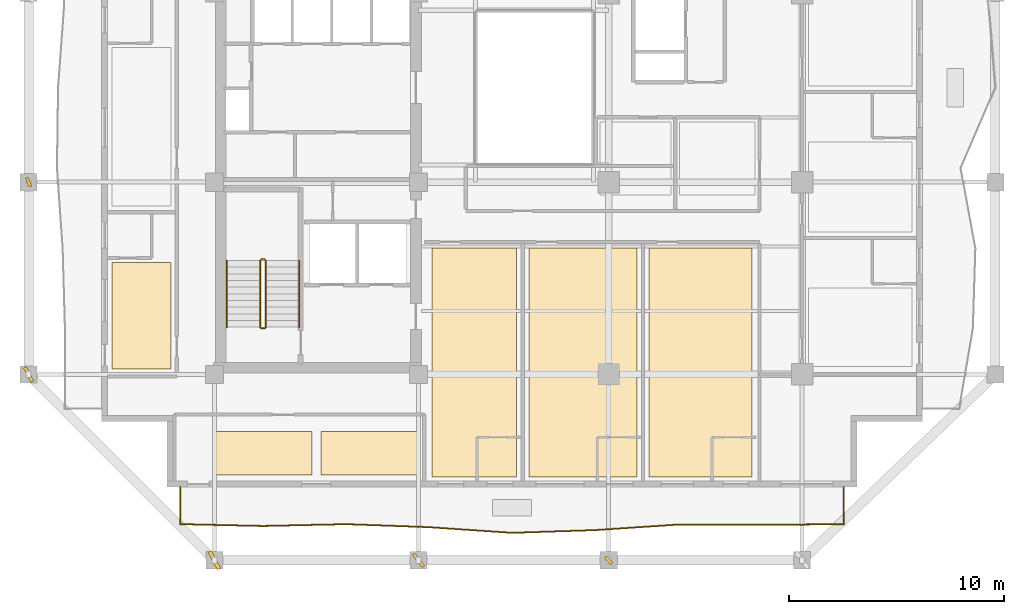
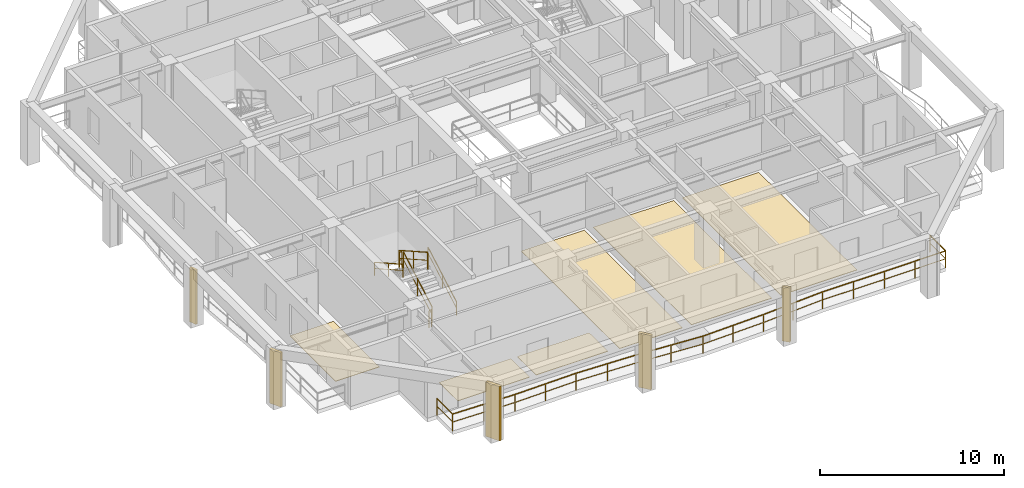
# One storey, part 9 of 12: 7 railings, 6 coverings, 5 shading devices.
"""IFC4 building model written with IfcOpenShell, lengths in metres."""

from ifc_helpers import new_model, si_unit, direction, frame, origin, origin_2d, place, context, subcontext, project, spatial, polyline, rectangle, outline, extrude, material, layer, layer_set, type_object, element, save


model = new_model("IFC4")

# Units and contexts
model_context = context("Model", 3, precision=1e-05, world=origin(), true_north=direction((0.0, 1.0)))
body_context = subcontext(model_context, "Body", "Model", "MODEL_VIEW")
ifc_project = project(units=[si_unit("LENGTHUNIT", "METRE"), si_unit("AREAUNIT", "SQUARE_METRE"), si_unit("VOLUMEUNIT", "CUBIC_METRE"), si_unit("PLANEANGLEUNIT", "RADIAN"), si_unit("MASSUNIT", "GRAM", prefix="KILO")], contexts=[model_context])

# Site, building, storey
site_placement = place(None, origin())
site = spatial("IfcSite", under=ifc_project, at=site_placement, CompositionType="ELEMENT")
building_placement = place(site_placement, origin())
building = spatial("IfcBuilding", under=site, at=building_placement, Name="Kundavana Baori Tower", CompositionType="ELEMENT")
storey_placement = place(building_placement, frame((0.0, 0.0, 134.800048828125)))
storey = spatial("IfcBuildingStorey", under=building, at=storey_placement, Name="L32", CompositionType="ELEMENT", Elevation=134.800048828125)

# Coverings
ifc_material_1 = material(Name="Honed Kota Stone and Terrazzo Flooring", Category="masonry")
ifc_layer = layer(ifc_material_1, 0.030029296875, Name="COV-INT-FLR")
ifc_layer_set = layer_set([ifc_layer], Name="Honed Kota Stone and Terrazzo Flooring")
covering_type = type_object("IfcCoveringType", Name="COV-INT-FLR", PredefinedType="FLOORING", material=ifc_layer_set)
covering_1_placement = place(storey_placement, origin())
element("IfcCovering", 1, at=covering_1_placement, inside=storey, type_object=covering_type, Name="L32 Room Finished Stone Flooring 1", PredefinedType="FLOORING", context=body_context, shape_type="SweptSolid", body=[
    extrude(outline(polyline([(10.679931640625, 15.5), (13.419921875, 15.5), (13.419921875, 20.469970703125), (10.679931640625, 20.469970703125), (10.679931640625, 15.5)])), origin(), (0.0, 0.0, 1.0), 0.030029296875),
])
covering_2_placement = place(storey_placement, origin())
element("IfcCovering", 2, at=covering_2_placement, inside=storey, type_object=covering_type, Name="L32 Room Finished Stone Flooring 4", PredefinedType="FLOORING", context=body_context, shape_type="SweptSolid", body=[
    extrude(outline(polyline([(25.580078125, 10.47998046875), (29.52001953125, 10.47998046875), (29.52001953125, 21.139892578125), (25.580078125, 21.139892578125), (25.580078125, 10.47998046875)])), origin(), (0.0, 0.0, 1.0), 0.030029296875),
])
covering_3_placement = place(storey_placement, origin())
element("IfcCovering", 3, at=covering_3_placement, inside=storey, type_object=covering_type, Name="L32 Room Finished Stone Flooring 5", PredefinedType="FLOORING", context=body_context, shape_type="SweptSolid", body=[
    extrude(outline(polyline([(30.080078125, 10.47998046875), (35.1201171875, 10.47998046875), (35.1201171875, 21.139892578125), (30.080078125, 21.139892578125), (30.080078125, 10.47998046875)])), origin(), (0.0, 0.0, 1.0), 0.030029296875),
])
covering_4_placement = place(storey_placement, origin())
element("IfcCovering", 4, at=covering_4_placement, inside=storey, type_object=covering_type, Name="L32 Room Finished Stone Flooring 6", PredefinedType="FLOORING", context=body_context, shape_type="SweptSolid", body=[
    extrude(outline(polyline([(35.679931640625, 10.47998046875), (40.4599609375, 10.47998046875), (40.4599609375, 21.139892578125), (35.679931640625, 21.139892578125), (35.679931640625, 10.47998046875)])), origin(), (0.0, 0.0, 1.0), 0.030029296875),
])
covering_5_placement = place(storey_placement, origin())
element("IfcCovering", 5, at=covering_5_placement, inside=storey, type_object=covering_type, Name="L32 Room Finished Stone Flooring 13", PredefinedType="FLOORING", context=body_context, shape_type="SweptSolid", body=[
    extrude(outline(polyline([(15.5, 10.580078125), (20.0, 10.580078125), (20.0, 12.60009765625), (15.5, 12.60009765625), (15.5, 10.580078125)])), origin(), (0.0, 0.0, 1.0), 0.030029296875),
])
covering_6_placement = place(storey_placement, origin())
element("IfcCovering", 6, at=covering_6_placement, inside=storey, type_object=covering_type, Name="L32 Room Finished Stone Flooring 14", PredefinedType="FLOORING", context=body_context, shape_type="SweptSolid", body=[
    extrude(outline(polyline([(20.39990234375, 10.580078125), (24.89990234375, 10.580078125), (24.89990234375, 12.60009765625), (20.39990234375, 12.60009765625), (20.39990234375, 10.580078125)])), origin(), (0.0, 0.0, 1.0), 0.030029296875),
])

# Railings
ifc_material_2 = material(Name="Architectural Patinated Bronze Metalwork")
railing_type_1 = type_object("IfcRailingType", Name="RL-BAL-1150", PredefinedType="BALUSTRADE", material=ifc_material_2)
railing_1_placement = place(storey_placement, frame((44.75, 10.0, 0.0)))
element("IfcRailing", 7, at=railing_1_placement, inside=storey, type_object=railing_type_1, Name="L32 Loggia Balcony Balustrade S", PredefinedType="BALUSTRADE", context=body_context, shape_type="SweptSolid", body=[
    extrude(rectangle(XDim=0.048095703125, YDim=0.048095703125, at=origin_2d()), frame((0.0, 0.0, 1.1259765625), z_axis=(0.0, -1.0, 0.0), x_axis=(1.0, 0.0, 0.0)), (0.0, 0.0, 1.0), 1.719970703125),
    extrude(rectangle(XDim=0.03125, YDim=0.03125, at=origin_2d()), frame((0.0, 0.0, 0.597900390625), z_axis=(0.0, -1.0, 0.0), x_axis=(1.0, 0.0, 0.0)), (0.0, 0.0, 1.0), 1.719970703125),
    extrude(rectangle(XDim=0.048095703125, YDim=0.048095703125, at=origin_2d()), frame((0.0, -1.719970703125, 1.1259765625), z_axis=(-0.999963605465, -0.008531573452, 0.0), x_axis=(0.008531573452, -0.999963605465, 0.0)), (0.0, 0.0, 1.0), 3.86328125),
    extrude(rectangle(XDim=0.03125, YDim=0.03125, at=origin_2d()), frame((0.0, -1.719970703125, 0.597900390625), z_axis=(-0.999963605465, -0.008531573452, 0.0), x_axis=(0.008531573452, -0.999963605465, 0.0)), (0.0, 0.0, 1.0), 3.86328125),
    extrude(rectangle(XDim=0.048095703125, YDim=0.048095703125, at=origin_2d()), frame((-3.863037109375, -1.7529296875, 1.1259765625), z_axis=(-0.999995953921, 0.002844668938, 0.0), x_axis=(-0.002844668938, -0.999995953921, 0.0)), (0.0, 0.0, 1.0), 3.862060546875),
    extrude(rectangle(XDim=0.03125, YDim=0.03125, at=origin_2d()), frame((-3.863037109375, -1.7529296875, 0.597900390625), z_axis=(-0.999995953921, 0.002844668938, 0.0), x_axis=(-0.002844668938, -0.999995953921, 0.0)), (0.0, 0.0, 1.0), 3.862060546875),
    extrude(rectangle(XDim=0.048095703125, YDim=0.048095703125, at=origin_2d()), frame((-7.72509765625, -1.741943359375, 1.1259765625), z_axis=(-0.997791572805, -0.066422716283, 0.0), x_axis=(0.066422716283, -0.997791572805, 0.0)), (0.0, 0.0, 1.0), 3.870361328125),
    extrude(rectangle(XDim=0.03125, YDim=0.03125, at=origin_2d()), frame((-7.72509765625, -1.741943359375, 0.597900390625), z_axis=(-0.997791572805, -0.066422716283, 0.0), x_axis=(0.066422716283, -0.997791572805, 0.0)), (0.0, 0.0, 1.0), 3.870361328125),
    extrude(rectangle(XDim=0.048095703125, YDim=0.048095703125, at=origin_2d()), frame((-11.5869140625, -1.9990234375, 1.1259765625), z_axis=(-0.999460430458, -0.032845820883, 0.0), x_axis=(0.032845820883, -0.999460430458, 0.0)), (0.0, 0.0, 1.0), 3.865234375),
    extrude(rectangle(XDim=0.03125, YDim=0.03125, at=origin_2d()), frame((-11.5869140625, -1.9990234375, 0.597900390625), z_axis=(-0.999460430458, -0.032845820883, 0.0), x_axis=(0.032845820883, -0.999460430458, 0.0)), (0.0, 0.0, 1.0), 3.865234375),
    extrude(rectangle(XDim=0.048095703125, YDim=0.048095703125, at=origin_2d()), frame((-15.449951171875, -2.1259765625, 1.1259765625), z_axis=(-0.997673272344, 0.068176547658, 0.0), x_axis=(-0.068176547658, -0.997673272344, 0.0)), (0.0, 0.0, 1.0), 3.87109375),
    extrude(rectangle(XDim=0.03125, YDim=0.03125, at=origin_2d()), frame((-15.449951171875, -2.1259765625, 0.597900390625), z_axis=(-0.997673272344, 0.068176547658, 0.0), x_axis=(-0.068176547658, -0.997673272344, 0.0)), (0.0, 0.0, 1.0), 3.87109375),
    extrude(rectangle(XDim=0.048095703125, YDim=0.048095703125, at=origin_2d()), frame((-19.31201171875, -1.862060546875, 1.1259765625), z_axis=(-0.999342663494, 0.036252460902, 0.0), x_axis=(-0.036252460902, -0.999342663494, 0.0)), (0.0, 0.0, 1.0), 3.865478515625),
    extrude(rectangle(XDim=0.03125, YDim=0.03125, at=origin_2d()), frame((-19.31201171875, -1.862060546875, 0.597900390625), z_axis=(-0.999342663494, 0.036252460902, 0.0), x_axis=(-0.036252460902, -0.999342663494, 0.0)), (0.0, 0.0, 1.0), 3.865478515625),
    extrude(rectangle(XDim=0.048095703125, YDim=0.048095703125, at=origin_2d()), frame((-23.175048828125, -1.721923828125, 1.1259765625), z_axis=(-0.999751240495, -0.022303746944, 0.0), x_axis=(0.022303746944, -0.999751240495, 0.0)), (0.0, 0.0, 1.0), 3.864013671875),
    extrude(rectangle(XDim=0.03125, YDim=0.03125, at=origin_2d()), frame((-23.175048828125, -1.721923828125, 0.597900390625), z_axis=(-0.999751240495, -0.022303746944, 0.0), x_axis=(0.022303746944, -0.999751240495, 0.0)), (0.0, 0.0, 1.0), 3.864013671875),
    extrude(rectangle(XDim=0.048095703125, YDim=0.048095703125, at=origin_2d()), frame((-27.0380859375, -1.80810546875, 1.1259765625), z_axis=(-0.999739677531, 0.022816160298, 0.0), x_axis=(-0.022816160298, -0.999739677531, 0.0)), (0.0, 0.0, 1.0), 3.86279296875),
    extrude(rectangle(XDim=0.03125, YDim=0.03125, at=origin_2d()), frame((-27.0380859375, -1.80810546875, 0.597900390625), z_axis=(-0.999739677531, 0.022816160298, 0.0), x_axis=(-0.022816160298, -0.999739677531, 0.0)), (0.0, 0.0, 1.0), 3.86279296875),
    extrude(rectangle(XDim=0.048095703125, YDim=0.048095703125, at=origin_2d()), frame((-30.89990234375, -1.719970703125, 1.1259765625), z_axis=(0.0, 1.0, 0.0), x_axis=(-1.0, 0.0, 0.0)), (0.0, 0.0, 1.0), 1.719970703125),
    extrude(rectangle(XDim=0.03125, YDim=0.03125, at=origin_2d()), frame((-30.89990234375, -1.719970703125, 0.597900390625), z_axis=(0.0, 1.0, 0.0), x_axis=(-1.0, 0.0, 0.0)), (0.0, 0.0, 1.0), 1.719970703125),
    extrude(rectangle(XDim=0.0419921875, YDim=0.0419921875, at=origin_2d()), origin(), (0.0, 0.0, 1.0), 1.101806640625),
    extrude(rectangle(XDim=0.0419921875, YDim=0.0419921875, at=origin_2d()), frame((0.0, -1.719970703125, 0.0)), (0.0, 0.0, 1.0), 1.101806640625),
    extrude(rectangle(XDim=0.0419921875, YDim=0.0419921875, at=origin_2d()), frame((-1.931640625, -1.736328125, 0.0)), (0.0, 0.0, 1.0), 1.101806640625),
    extrude(rectangle(XDim=0.0419921875, YDim=0.0419921875, at=origin_2d()), frame((-3.863037109375, -1.7529296875, 0.0)), (0.0, 0.0, 1.0), 1.101806640625),
    extrude(rectangle(XDim=0.0419921875, YDim=0.0419921875, at=origin_2d()), frame((-5.7939453125, -1.74755859375, 0.0)), (0.0, 0.0, 1.0), 1.101806640625),
    extrude(rectangle(XDim=0.0419921875, YDim=0.0419921875, at=origin_2d()), frame((-7.72509765625, -1.741943359375, 0.0)), (0.0, 0.0, 1.0), 1.101806640625),
    extrude(rectangle(XDim=0.0419921875, YDim=0.0419921875, at=origin_2d()), frame((-9.656005859375, -1.87060546875, 0.0)), (0.0, 0.0, 1.0), 1.101806640625),
    extrude(rectangle(XDim=0.0419921875, YDim=0.0419921875, at=origin_2d()), frame((-11.5869140625, -1.9990234375, 0.0)), (0.0, 0.0, 1.0), 1.101806640625),
    extrude(rectangle(XDim=0.0419921875, YDim=0.0419921875, at=origin_2d()), frame((-13.5185546875, -2.0625, 0.0)), (0.0, 0.0, 1.0), 1.101806640625),
    extrude(rectangle(XDim=0.0419921875, YDim=0.0419921875, at=origin_2d()), frame((-15.449951171875, -2.1259765625, 0.0)), (0.0, 0.0, 1.0), 1.101806640625),
    extrude(rectangle(XDim=0.0419921875, YDim=0.0419921875, at=origin_2d()), frame((-17.380859375, -1.994140625, 0.0)), (0.0, 0.0, 1.0), 1.101806640625),
    extrude(rectangle(XDim=0.0419921875, YDim=0.0419921875, at=origin_2d()), frame((-19.31201171875, -1.862060546875, 0.0)), (0.0, 0.0, 1.0), 1.101806640625),
    extrude(rectangle(XDim=0.0419921875, YDim=0.0419921875, at=origin_2d()), frame((-21.24365234375, -1.7919921875, 0.0)), (0.0, 0.0, 1.0), 1.101806640625),
    extrude(rectangle(XDim=0.0419921875, YDim=0.0419921875, at=origin_2d()), frame((-23.175048828125, -1.721923828125, 0.0)), (0.0, 0.0, 1.0), 1.101806640625),
    extrude(rectangle(XDim=0.0419921875, YDim=0.0419921875, at=origin_2d()), frame((-25.1064453125, -1.76513671875, 0.0)), (0.0, 0.0, 1.0), 1.101806640625),
    extrude(rectangle(XDim=0.0419921875, YDim=0.0419921875, at=origin_2d()), frame((-27.0380859375, -1.80810546875, 0.0)), (0.0, 0.0, 1.0), 1.101806640625),
    extrude(rectangle(XDim=0.0419921875, YDim=0.0419921875, at=origin_2d()), frame((-28.968994140625, -1.76416015625, 0.0)), (0.0, 0.0, 1.0), 1.101806640625),
    extrude(rectangle(XDim=0.0419921875, YDim=0.0419921875, at=origin_2d()), frame((-30.89990234375, -1.719970703125, 0.0)), (0.0, 0.0, 1.0), 1.101806640625),
    extrude(rectangle(XDim=0.0419921875, YDim=0.0419921875, at=origin_2d()), frame((-30.89990234375, 0.0, 0.0)), (0.0, 0.0, 1.0), 1.101806640625),
])
ifc_material_3 = material(Name="Architectural Patinated Bronze Metalwork")
railing_type_2 = type_object("IfcRailingType", Name="RL-GRD-1150", PredefinedType="GUARDRAIL", material=ifc_material_3)
railing_2_placement = place(storey_placement, frame((17.840087890625, 17.449951171875, 0.175048828125)))
element("IfcRailing", 8, at=railing_2_placement, inside=storey, type_object=railing_type_2, Name="L32 ST1 stair guard 1", PredefinedType="GUARDRAIL", context=body_context, shape_type="SweptSolid", body=[
    extrude(rectangle(XDim=0.048095703125, YDim=0.048095703125, at=origin_2d()), frame((0.0, 0.0, 1.1259765625), z_axis=(0.0, 0.870830938388, 0.491582624537), x_axis=(-1.0, 0.0, 0.0)), (0.0, 0.0, 1.0), 3.559814453125),
    extrude(rectangle(XDim=0.03125, YDim=0.03125, at=origin_2d()), frame((0.0, 0.0, 0.597900390625), z_axis=(0.0, 0.870830938388, 0.491582624537), x_axis=(-1.0, 0.0, 0.0)), (0.0, 0.0, 1.0), 3.559814453125),
    extrude(rectangle(XDim=0.0419921875, YDim=0.0419921875, at=origin_2d()), origin(), (0.0, 0.0, 1.0), 1.101806640625),
    extrude(rectangle(XDim=0.0419921875, YDim=0.0419921875, at=origin_2d()), frame((0.0, 1.550048828125, 0.875)), (0.0, 0.0, 1.0), 1.101806640625),
    extrude(rectangle(XDim=0.0419921875, YDim=0.0419921875, at=origin_2d()), frame((0.0, 3.10009765625, 1.75)), (0.0, 0.0, 1.0), 1.101806640625),
])
railing_3_placement = place(storey_placement, frame((17.7900390625, 20.60009765625, 1.925048828125)))
element("IfcRailing", 9, at=railing_3_placement, inside=storey, type_object=railing_type_2, Name="L32 ST1 stair guard 2", PredefinedType="GUARDRAIL", context=body_context, shape_type="SweptSolid", body=[
    extrude(rectangle(XDim=0.048095703125, YDim=0.048095703125, at=origin_2d()), frame((0.0, 0.0, 1.1259765625), z_axis=(-1.0, 0.0, 0.0), x_axis=(0.0, -1.0, 0.0)), (0.0, 0.0, 1.0), 0.16015625),
    extrude(rectangle(XDim=0.03125, YDim=0.03125, at=origin_2d()), frame((0.0, 0.0, 0.597900390625), z_axis=(-1.0, 0.0, 0.0), x_axis=(0.0, -1.0, 0.0)), (0.0, 0.0, 1.0), 0.16015625),
    extrude(rectangle(XDim=0.0419921875, YDim=0.0419921875, at=origin_2d()), origin(), (0.0, 0.0, 1.0), 1.101806640625),
    extrude(rectangle(XDim=0.0419921875, YDim=0.0419921875, at=origin_2d()), frame((-0.16015625, 0.0, 0.0)), (0.0, 0.0, 1.0), 1.101806640625),
])
railing_4_placement = place(storey_placement, frame((17.580078125, 20.550048828125, 2.099853515625)))
element("IfcRailing", 10, at=railing_4_placement, inside=storey, type_object=railing_type_2, Name="L32 ST1 stair guard 3", PredefinedType="GUARDRAIL", context=body_context, shape_type="SweptSolid", body=[
    extrude(rectangle(XDim=0.048095703125, YDim=0.048095703125, at=origin_2d()), frame((0.0, 0.0, 1.1259765625), z_axis=(0.0, -0.870830938388, 0.491582624537), x_axis=(1.0, 0.0, 0.0)), (0.0, 0.0, 1.0), 3.559814453125),
    extrude(rectangle(XDim=0.03125, YDim=0.03125, at=origin_2d()), frame((0.0, 0.0, 0.597900390625), z_axis=(0.0, -0.870830938388, 0.491582624537), x_axis=(1.0, 0.0, 0.0)), (0.0, 0.0, 1.0), 3.559814453125),
    extrude(rectangle(XDim=0.0419921875, YDim=0.0419921875, at=origin_2d()), origin(), (0.0, 0.0, 1.0), 1.101806640625),
    extrude(rectangle(XDim=0.0419921875, YDim=0.0419921875, at=origin_2d()), frame((0.0, -1.550048828125, 0.875)), (0.0, 0.0, 1.0), 1.101806640625),
    extrude(rectangle(XDim=0.0419921875, YDim=0.0419921875, at=origin_2d()), frame((0.0, -3.10009765625, 1.75)), (0.0, 0.0, 1.0), 1.101806640625),
])
railing_5_placement = place(storey_placement, frame((17.7900390625, 17.39990234375, 0.0)))
element("IfcRailing", 11, at=railing_5_placement, inside=storey, type_object=railing_type_2, Name="L32 ST1 stair guard 4", PredefinedType="GUARDRAIL", context=body_context, shape_type="SweptSolid", body=[
    extrude(rectangle(XDim=0.048095703125, YDim=0.048095703125, at=origin_2d()), frame((0.0, 0.0, 1.1259765625), z_axis=(-1.0, 0.0, 0.0), x_axis=(0.0, -1.0, 0.0)), (0.0, 0.0, 1.0), 0.16015625),
    extrude(rectangle(XDim=0.03125, YDim=0.03125, at=origin_2d()), frame((0.0, 0.0, 0.597900390625), z_axis=(-1.0, 0.0, 0.0), x_axis=(0.0, -1.0, 0.0)), (0.0, 0.0, 1.0), 0.16015625),
    extrude(rectangle(XDim=0.0419921875, YDim=0.0419921875, at=origin_2d()), origin(), (0.0, 0.0, 1.0), 1.101806640625),
    extrude(rectangle(XDim=0.0419921875, YDim=0.0419921875, at=origin_2d()), frame((-0.16015625, 0.0, 0.0)), (0.0, 0.0, 1.0), 1.101806640625),
])
ifc_material_4 = material(Name="Architectural Patinated Bronze Metalwork")
railing_type_3 = type_object("IfcRailingType", Name="RL-HND-920", PredefinedType="HANDRAIL", material=ifc_material_4)
railing_6_placement = place(storey_placement, frame((19.389892578125, 17.449951171875, 0.175048828125)))
element("IfcRailing", 12, at=railing_6_placement, inside=storey, type_object=railing_type_3, Name="L32 ST1 stair handrail 1", PredefinedType="HANDRAIL", context=body_context, shape_type="SweptSolid", body=[
    extrude(rectangle(XDim=0.048095703125, YDim=0.048095703125, at=origin_2d()), frame((0.0, 0.0, 0.8759765625), z_axis=(0.0, 0.870830938388, 0.491582624537), x_axis=(-1.0, 0.0, 0.0)), (0.0, 0.0, 1.0), 3.559814453125),
    extrude(rectangle(XDim=0.03125, YDim=0.03125, at=origin_2d()), frame((0.0, 0.0, 0.468017578125), z_axis=(0.0, 0.870830938388, 0.491582624537), x_axis=(-1.0, 0.0, 0.0)), (0.0, 0.0, 1.0), 3.559814453125),
    extrude(rectangle(XDim=0.0419921875, YDim=0.0419921875, at=origin_2d()), origin(), (0.0, 0.0, 1.0), 0.851806640625),
    extrude(rectangle(XDim=0.0419921875, YDim=0.0419921875, at=origin_2d()), frame((0.0, 1.550048828125, 0.875)), (0.0, 0.0, 1.0), 0.851806640625),
    extrude(rectangle(XDim=0.0419921875, YDim=0.0419921875, at=origin_2d()), frame((0.0, 3.10009765625, 1.75)), (0.0, 0.0, 1.0), 0.851806640625),
])
railing_7_placement = place(storey_placement, frame((16.030029296875, 20.550048828125, 2.099853515625)))
element("IfcRailing", 13, at=railing_7_placement, inside=storey, type_object=railing_type_3, Name="L32 ST1 stair handrail 2", PredefinedType="HANDRAIL", context=body_context, shape_type="SweptSolid", body=[
    extrude(rectangle(XDim=0.048095703125, YDim=0.048095703125, at=origin_2d()), frame((0.0, 0.0, 0.8759765625), z_axis=(0.0, -0.870830938388, 0.491582624537), x_axis=(1.0, 0.0, 0.0)), (0.0, 0.0, 1.0), 3.559814453125),
    extrude(rectangle(XDim=0.03125, YDim=0.03125, at=origin_2d()), frame((0.0, 0.0, 0.468017578125), z_axis=(0.0, -0.870830938388, 0.491582624537), x_axis=(1.0, 0.0, 0.0)), (0.0, 0.0, 1.0), 3.559814453125),
    extrude(rectangle(XDim=0.0419921875, YDim=0.0419921875, at=origin_2d()), origin(), (0.0, 0.0, 1.0), 0.851806640625),
    extrude(rectangle(XDim=0.0419921875, YDim=0.0419921875, at=origin_2d()), frame((0.0, -1.550048828125, 0.875)), (0.0, 0.0, 1.0), 0.851806640625),
    extrude(rectangle(XDim=0.0419921875, YDim=0.0419921875, at=origin_2d()), frame((0.0, -3.10009765625, 1.75)), (0.0, 0.0, 1.0), 0.851806640625),
])

# Shading devices
ifc_material_5 = material(Name="Red-Buff Dholpur Sandstone Cladding on Concrete C40/50", Category="masonry")
shading_device_type_1 = type_object("IfcShadingDeviceType", Name="SHD-FIN-750", PredefinedType="JALOUSIE", material=ifc_material_5)
for number, where, z_axis, x_axis, name in (
    (14, (24.949951171875, 6.60009765625, 0.0), (0.0, 0.0, 1.0), (0.78886961078, 0.614560604976, 0.0), "L32 Sweeping Dholpur Sandstone Facade Fin 2"),
    (15, (6.800048828125, 15.25, 0.0), (0.0, 0.0, 1.0), (0.888777277411, 0.458339340618, 0.0), "L32 Sweeping Dholpur Sandstone Facade Fin 5"),
):
    element("IfcShadingDevice", number, at=place(storey_placement, frame(where, z_axis=z_axis, x_axis=x_axis)), inside=storey, type_object=shading_device_type_1, Name=name, PredefinedType="JALOUSIE", context=body_context, shape_type="SweptSolid", body=[
        extrude(rectangle(XDim=0.159912109375, YDim=0.75, at=origin_2d()), origin(), (0.0, 0.0, 1.0), 3.60009765625),
    ])
ifc_material_6 = material(Name="Red-Buff Dholpur Sandstone Cladding on Concrete C40/50", Category="masonry")
shading_device_type_2 = type_object("IfcShadingDeviceType", Name="SHD-FIN-920", PredefinedType="JALOUSIE", material=ifc_material_6)
shading_device_placement = place(storey_placement, frame((15.449951171875, 6.60009765625, 0.0), z_axis=(0.0, 0.0, 1.0), x_axis=(0.87948249511, 0.475931235364, 0.0)))
element("IfcShadingDevice", 16, at=shading_device_placement, inside=storey, type_object=shading_device_type_2, Name="L32 Sweeping Dholpur Sandstone Facade Fin 1", PredefinedType="JALOUSIE", context=body_context, shape_type="SweptSolid", body=[
    extrude(rectangle(XDim=0.179931640625, YDim=0.919921875, at=origin_2d()), origin(), (0.0, 0.0, 1.0), 3.60009765625),
])
ifc_material_7 = material(Name="Architectural Patinated Bronze Metalwork")
shading_device_type_3 = type_object("IfcShadingDeviceType", Name="SHD-LOUV-450", PredefinedType="SHUTTER", material=ifc_material_7)
for number, where, z_axis, x_axis, name in (
    (17, (33.800048828125, 6.60009765625, 0.0), (0.0, 0.0, 1.0), (0.743378350842, 0.668871159118, 0.0), "L32 Sweeping Dholpur Sandstone Facade Fin 3"),
    (18, (6.800048828125, 24.199951171875, 0.0), (0.0, 0.0, 1.0), (0.926987583926, 0.375092014374, 0.0), "L32 Sweeping Dholpur Sandstone Facade Fin 6"),
):
    element("IfcShadingDevice", number, at=place(storey_placement, frame(where, z_axis=z_axis, x_axis=x_axis)), inside=storey, type_object=shading_device_type_3, Name=name, PredefinedType="SHUTTER", context=body_context, shape_type="SweptSolid", body=[
        extrude(rectangle(XDim=0.139892578125, YDim=0.449951171875, at=origin_2d()), origin(), (0.0, 0.0, 1.0), 3.60009765625),
    ])

save(model, "model.ifc")
